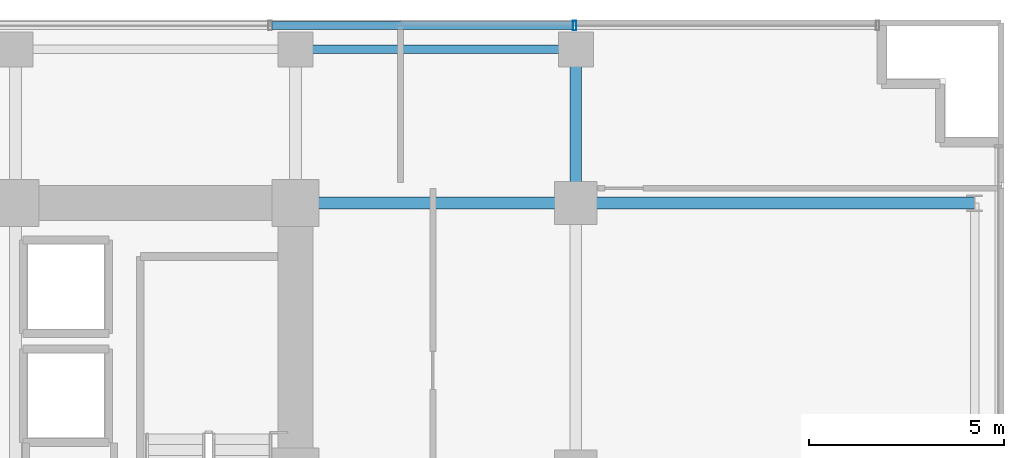
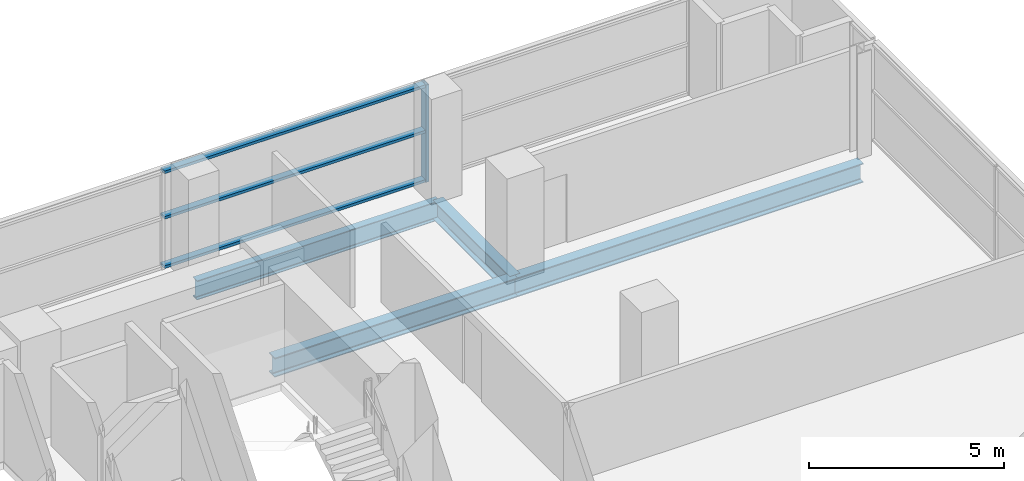
# One storey, part 21 of 31: 4 beams, 4 members, 1 element without a shape of its own.
"""IFC4 building model written with IfcOpenShell, lengths in metres."""

import ifcopenshell
import ifcopenshell.guid

model = None  # the IFC model being written
_history = None  # IfcOwnerHistory: only IFC2X3 demands one
_inside = {}  # id of a spatial element -> (the spatial element, [elements in it])
_under = {}  # id of a project, library or spatial element -> (it, [spatial elements below it])
_declared = {}  # id of a project -> (the project, [libraries it declares])
_typed = {}  # id of a type object -> (the type object, [elements of that type])
_made_of = {}  # id of a material, layer set ... -> (it, [elements and type objects made of it])


def new_model(schema):
    """Start an empty IFC model of exactly this schema.

    Asked for "IFC4X3", IfcOpenShell would pick the latest addendum, in which some entities
    have other attributes; the version numbers below select the first issue.
    IFC2X3 requires an IfcOwnerHistory on every rooted entity: one is made here for all.
    """
    global model, _history
    if schema == "IFC4X3":
        model = ifcopenshell.file(schema_version=(4, 3, 0, 0))
    else:
        model = ifcopenshell.file(schema=schema)
    _inside.clear()
    _under.clear()
    _declared.clear()
    _typed.clear()
    _made_of.clear()
    _history = None
    if model.schema == "IFC2X3":
        org = make("IfcOrganization", Name="unknown")
        user = make(
            "IfcPersonAndOrganization",
            ThePerson=make("IfcPerson", FamilyName="unknown"),
            TheOrganization=org,
        )
        app = make(
            "IfcApplication",
            ApplicationDeveloper=org,
            Version="unknown",
            ApplicationFullName="unknown",
            ApplicationIdentifier="unknown",
        )
        _history = make(
            "IfcOwnerHistory",
            OwningUser=user,
            OwningApplication=app,
            ChangeAction="ADDED",
            CreationDate=0,
        )
    return model


def make(cls, **values):
    """One entity of the class cls with the attributes given. An attribute that is None is left unset."""
    return model.create_entity(
        cls, **{name: value for name, value in values.items() if value is not None}
    )


def rooted(cls, **values):
    """An entity with a GlobalId (a new one), such as an element, a storey or a relation."""
    return make(cls, GlobalId=ifcopenshell.guid.new(), OwnerHistory=_history, **values)


def si_unit(unit_type, name, prefix=None):
    """IfcSIUnit, for example si_unit("LENGTHUNIT", "METRE", prefix="MILLI")."""
    return make("IfcSIUnit", UnitType=unit_type, Prefix=prefix, Name=name)


def assignment(units):
    """IfcUnitAssignment: the units of a project."""
    return None if units is None else make("IfcUnitAssignment", Units=units)


def point(xyz):
    """IfcCartesianPoint."""
    return None if xyz is None else make("IfcCartesianPoint", Coordinates=xyz)


def direction(xyz):
    """IfcDirection."""
    return None if xyz is None else make("IfcDirection", DirectionRatios=xyz)


def frame(location, z_axis=None, x_axis=None):
    """IfcAxis2Placement3D, a coordinate frame: its origin and axes. An axis left out is left unset."""
    return make(
        "IfcAxis2Placement3D",
        Location=point(location),
        Axis=direction(z_axis),
        RefDirection=direction(x_axis),
    )


def frame_2d(location, x_axis=None):
    """IfcAxis2Placement2D, a coordinate frame in the plane: its origin and x axis."""
    return make(
        "IfcAxis2Placement2D", Location=point(location), RefDirection=direction(x_axis)
    )


def origin():
    """The frame at (0, 0, 0) with its axes left unset."""
    return frame((0.0, 0.0, 0.0))


def origin_2d():
    """The frame at (0, 0) in the plane with its x axis left unset."""
    return frame_2d((0.0, 0.0))


def place(relative_to, where):
    """IfcLocalPlacement: puts the frame where relative to a parent placement (None: the world)."""
    return make(
        "IfcLocalPlacement", PlacementRelTo=relative_to, RelativePlacement=where
    )


def context(
    kind, dimensions, precision=None, world=None, true_north=None, identifier=None
):
    """IfcGeometricRepresentationContext, for example the 3D "Model" context."""
    return make(
        "IfcGeometricRepresentationContext",
        ContextIdentifier=identifier,
        ContextType=kind,
        CoordinateSpaceDimension=dimensions,
        Precision=precision,
        WorldCoordinateSystem=world,
        TrueNorth=true_north,
    )


def subcontext(parent, identifier, kind, view, scale=None):
    """IfcGeometricRepresentationSubContext, for example "Body" below "Model"."""
    return make(
        "IfcGeometricRepresentationSubContext",
        ContextIdentifier=identifier,
        ContextType=kind,
        ParentContext=parent,
        TargetScale=scale,
        TargetView=view,
    )


def project(units=None, contexts=None):
    """IfcProject with its units and contexts."""
    return rooted(
        "IfcProject",
        Name="project",
        RepresentationContexts=contexts,
        UnitsInContext=assignment(units),
    )


def spatial(cls, under=None, at=None, **own):
    """A site, building, storey or space (cls), placed at a placement, below another one or the project."""
    s = rooted(cls, ObjectPlacement=at, **own)
    if under is not None:
        _under.setdefault(under.id(), (under, []))[1].append(s)
    return s


def profile(cls, at=None, kind="AREA", **sizes):
    """A parametric profile (cls). Its sizes go by their IFC names, for example OverallWidth=200.0."""
    return make(cls, ProfileType=kind, Position=at, **sizes)


def hollow_rectangle(**sizes):
    """IfcRectangleHollowProfileDef."""
    return profile("IfcRectangleHollowProfileDef", **sizes)


def i_section(**sizes):
    """IfcIShapeProfileDef."""
    return profile("IfcIShapeProfileDef", **sizes)


def extrude(swept, where, along, depth):
    """IfcExtrudedAreaSolid: the profile swept, set in the frame where, extruded along a direction by depth."""
    return make(
        "IfcExtrudedAreaSolid",
        SweptArea=swept,
        Position=where,
        ExtrudedDirection=direction(along),
        Depth=depth,
    )


def shape(context_of_items, identifier, shape_type, items):
    """IfcShapeRepresentation: the items that make up one representation, for example the "Body"."""
    return make(
        "IfcShapeRepresentation",
        ContextOfItems=context_of_items,
        RepresentationIdentifier=identifier,
        RepresentationType=shape_type,
        Items=items,
    )


def source(mapping_origin, context_of_items, identifier, shape_type, items):
    """IfcRepresentationMap: a shape defined once, which mapped items show again and again."""
    return make(
        "IfcRepresentationMap",
        MappingOrigin=mapping_origin,
        MappedRepresentation=shape(context_of_items, identifier, shape_type, items),
    )


def transform(
    local_origin,
    x_axis=None,
    y_axis=None,
    z_axis=None,
    scale=None,
    scale2=None,
    scale3=None,
    uniform=True,
):
    """IfcCartesianTransformationOperator3D, or its non-uniform kind. x_axis, y_axis, z_axis: its Axis1, 2, 3."""
    if uniform:
        return make(
            "IfcCartesianTransformationOperator3D",
            Axis1=direction(x_axis),
            Axis2=direction(y_axis),
            LocalOrigin=point(local_origin),
            Scale=scale,
            Axis3=direction(z_axis),
        )
    return make(
        "IfcCartesianTransformationOperator3DnonUniform",
        Axis1=direction(x_axis),
        Axis2=direction(y_axis),
        LocalOrigin=point(local_origin),
        Scale=scale,
        Axis3=direction(z_axis),
        Scale2=scale2,
        Scale3=scale3,
    )


def mapped(mapping_source, mapping_target):
    """IfcMappedItem: shows the shape of a source again, moved by a transform."""
    return make(
        "IfcMappedItem", MappingSource=mapping_source, MappingTarget=mapping_target
    )


def material(Name=None, Category=None):
    """IfcMaterial."""
    return make("IfcMaterial", Name=Name, Category=Category)


def layer(
    of_material, thickness, ventilated=None, Name=None, Category=None, Priority=None
):
    """IfcMaterialLayer: one layer of a wall or slab, of a material (None: an air gap)."""
    return make(
        "IfcMaterialLayer",
        Material=of_material,
        LayerThickness=thickness,
        IsVentilated=ventilated,
        Name=Name,
        Category=Category,
        Priority=Priority,
    )


def layer_set(layers, Name=None):
    """IfcMaterialLayerSet."""
    return make("IfcMaterialLayerSet", MaterialLayers=layers, LayerSetName=Name)


def material_profile(
    of_material, cross_section, Name=None, Category=None, Priority=None
):
    """IfcMaterialProfile: a cross section and its material."""
    return make(
        "IfcMaterialProfile",
        Name=Name,
        Material=of_material,
        Profile=cross_section,
        Priority=Priority,
        Category=Category,
    )


def profile_set(profiles, Name=None, composite=None):
    """IfcMaterialProfileSet."""
    return make(
        "IfcMaterialProfileSet",
        Name=Name,
        MaterialProfiles=profiles,
        CompositeProfile=composite,
    )


def made_of(thing, what):
    """Note that an element or type object is made of a material, layer set ...; save() writes the relation."""
    if what is not None:
        _made_of.setdefault(what.id(), (what, []))[1].append(thing)
    return thing


def type_object(cls, material=None, **own):
    """A type object (cls), such as IfcWallType, which elements share."""
    return made_of(rooted(cls, **own), material)


def element(
    cls,
    number,
    at=None,
    inside=None,
    cuts=None,
    type_object=None,
    material=None,
    context=None,
    identifier="Body",
    shape_type=None,
    held_by="IfcProductDefinitionShape",
    body=None,
    shapes=None,
    **own,
):
    """One element of the class cls, such as IfcWall. Its Tag is "e" and its number.

    at: its placement. inside: the storey or other place that contains it. cuts: it is an
    opening in that element (IfcRelVoidsElement). A single representation is given by context,
    identifier, shape_type and body (its items); several are given by shapes. held_by: the class
    of the entity that holds the representations. save() writes the other relations.
    """
    e = rooted(cls, Tag="e%d" % number, ObjectPlacement=at, **own)
    if body is not None:
        shapes = [shape(context, identifier, shape_type, body)]
    if shapes is not None:
        e.Representation = make(held_by, Representations=shapes)
    if inside is not None:
        _inside.setdefault(inside.id(), (inside, []))[1].append(e)
    if cuts is not None:
        rooted(
            "IfcRelVoidsElement", RelatingBuildingElement=cuts, RelatedOpeningElement=e
        )
    if type_object is not None:
        _typed.setdefault(type_object.id(), (type_object, []))[1].append(e)
    return made_of(e, material)


def aggregate(whole, parts):
    """IfcRelAggregates: a whole, such as a stair, and the parts it consists of."""
    return rooted("IfcRelAggregates", RelatingObject=whole, RelatedObjects=parts)


def save(model, path):
    """Write the relations noted so far, then the file.

    IfcRelAggregates (storeys below a building ...), IfcRelContainedInSpatialStructure (elements
    in a storey), IfcRelDefinesByType, IfcRelAssociatesMaterial and IfcRelDeclares: one each for
    every whole, place, type object, material and project.
    """
    for whole, parts in _under.values():
        aggregate(whole, parts)
    for where, things in _inside.values():
        rooted(
            "IfcRelContainedInSpatialStructure",
            RelatedElements=things,
            RelatingStructure=where,
        )
    for kind, things in _typed.values():
        rooted("IfcRelDefinesByType", RelatedObjects=things, RelatingType=kind)
    for what, things in _made_of.values():
        rooted("IfcRelAssociatesMaterial", RelatedObjects=things, RelatingMaterial=what)
    for by, libraries in _declared.values():
        rooted("IfcRelDeclares", RelatingContext=by, RelatedDefinitions=libraries)
    model.write(path)


model = new_model("IFC4")

# Units and contexts
model_context = context("Model", 3, precision=1e-05, world=origin(), true_north=direction((0.0, 1.0)))
body_context = subcontext(model_context, "Body", "Model", "MODEL_VIEW")
ifc_project = project(units=[si_unit("LENGTHUNIT", "METRE"), si_unit("AREAUNIT", "SQUARE_METRE"), si_unit("VOLUMEUNIT", "CUBIC_METRE"), si_unit("PLANEANGLEUNIT", "RADIAN"), si_unit("MASSUNIT", "GRAM", prefix="KILO")], contexts=[model_context])

# Site, building, storey
site_placement = place(None, origin())
site = spatial("IfcSite", under=ifc_project, at=site_placement, CompositionType="ELEMENT")
building_placement = place(site_placement, origin())
building = spatial("IfcBuilding", under=site, at=building_placement, Name="Zarnakvel Exchange Tower", CompositionType="ELEMENT")
storey_placement = place(building_placement, frame((0.0, 0.0, 67.0)))
storey = spatial("IfcBuildingStorey", under=building, at=storey_placement, Name="L18", CompositionType="ELEMENT", Elevation=67.0)

# Beams
ifc_material_1 = material(Name="Steel S355", Category="steel")
ifc_material_profile_1 = material_profile(ifc_material_1, i_section(OverallWidth=0.300048828125, OverallDepth=0.60009765625, WebThickness=0.015380859375, FlangeThickness=0.030029296875, FilletRadius=0.027099609375, at=origin_2d()))
ifc_profile_set_1 = profile_set([ifc_material_profile_1], Name="Steel S355")
beam_type_1 = type_object("IfcBeamType", Name="G-04", PredefinedType="BEAM", material=ifc_profile_set_1)
beam_1_placement = place(storey_placement, frame((14.39990234375, 13.5, -0.52490234375), z_axis=(1.0, 0.0, 0.0), x_axis=(0.0, 1.0, 0.0)))
element("IfcBeam", 1, at=beam_1_placement, inside=storey, type_object=beam_type_1, Name="L18 Tower E-W Frame Beam", PredefinedType="BEAM", context=body_context, shape_type="SweptSolid", body=[
    extrude(i_section(OverallWidth=0.300048828125, OverallDepth=0.60009765625, WebThickness=0.015380859375, FlangeThickness=0.030029296875, FilletRadius=0.027099609375, at=origin_2d()), origin(), (0.0, 0.0, 1.0), 7.2001953125),
])
beam_2_placement = place(storey_placement, frame((21.60009765625, 13.5, -0.52490234375), z_axis=(1.0, 0.0, 0.0), x_axis=(0.0, 1.0, 0.0)))
element("IfcBeam", 2, at=beam_2_placement, inside=storey, type_object=beam_type_1, Name="L18 Tower E-W Frame Beam", PredefinedType="BEAM", context=body_context, shape_type="SweptSolid", body=[
    extrude(i_section(OverallWidth=0.300048828125, OverallDepth=0.60009765625, WebThickness=0.015380859375, FlangeThickness=0.030029296875, FilletRadius=0.027099609375, at=origin_2d()), origin(), (0.0, 0.0, 1.0), 10.25),
])
beam_3_placement = place(storey_placement, frame((21.60009765625, 13.5, -0.52490234375), z_axis=(0.0, 1.0, 0.0), x_axis=(-1.0, 0.0, 0.0)))
element("IfcBeam", 3, at=beam_3_placement, inside=storey, type_object=beam_type_1, Name="L18 Tower N-S Frame Beam", PredefinedType="BEAM", context=body_context, shape_type="SweptSolid", body=[
    extrude(i_section(OverallWidth=0.300048828125, OverallDepth=0.60009765625, WebThickness=0.015380859375, FlangeThickness=0.030029296875, FilletRadius=0.027099609375, at=origin_2d()), origin(), (0.0, 0.0, 1.0), 3.949951171875),
])
ifc_material_profile_2 = material_profile(ifc_material_1, i_section(OverallWidth=0.219970703125, OverallDepth=0.60009765625, WebThickness=0.011962890625, FlangeThickness=0.01904296875, FilletRadius=0.02392578125, at=origin_2d()))
ifc_profile_set_2 = profile_set([ifc_material_profile_2], Name="Steel S355")
beam_type_2 = type_object("IfcBeamType", Name="SP-01", PredefinedType="SPANDREL", material=ifc_profile_set_2)
beam_4_placement = place(storey_placement, frame((14.39990234375, 17.449951171875, -0.52490234375), z_axis=(1.0, 0.0, 0.0), x_axis=(0.0, 1.0, 0.0)))
element("IfcBeam", 4, at=beam_4_placement, inside=storey, type_object=beam_type_2, Name="L18 Tower E-W Frame Beam", PredefinedType="SPANDREL", context=body_context, shape_type="SweptSolid", body=[
    extrude(i_section(OverallWidth=0.219970703125, OverallDepth=0.60009765625, WebThickness=0.011962890625, FlangeThickness=0.01904296875, FilletRadius=0.02392578125, at=origin_2d()), origin(), (0.0, 0.0, 1.0), 7.2001953125),
])

# Curtain wall, members
ifc_material_2 = material(Name="Architectural Bronze Anodised Aluminium", Category="aluminium")
ifc_layer = layer(ifc_material_2, 0.239990234375)
ifc_layer_set = layer_set([ifc_layer], Name="Architectural Bronze Anodised Aluminium")
curtain_wall_type = type_object("IfcCurtainWallType", Name="CW-02", PredefinedType="NOTDEFINED", material=ifc_layer_set)
curtain_wall_placement = place(storey_placement, origin())
curtain_wall = element("IfcCurtainWall", 5, at=curtain_wall_placement, inside=storey, type_object=curtain_wall_type, Name="L18 Curtain Wall CW-L18-N1 (CW-02)", PredefinedType="NOTDEFINED")
ifc_material_profile_3 = material_profile(ifc_material_2, hollow_rectangle(XDim=0.199951171875, YDim=0.0849609375, WallThickness=0.0048828125, at=origin_2d()))
ifc_profile_set_3 = profile_set([ifc_material_profile_3], Name="Architectural Bronze Anodised Aluminium")
member_type_1 = type_object("IfcMemberType", Name="CWT-02", PredefinedType="USERDEFINED", material=ifc_profile_set_3)
shared_shape_1 = source(origin(), body_context, "Body", "SweptSolid", [
    extrude(hollow_rectangle(XDim=0.199951171875, YDim=0.0849609375, WallThickness=0.0048828125, at=origin_2d()), origin(), (0.0, 0.0, 1.0), 7.738525390625),
])
member_1_placement = place(storey_placement, frame((13.787841796875, 18.06005859375, 0.04248046875), z_axis=(1.0, 0.0, 0.0), x_axis=(0.0, 1.0, 0.0)))
member_1 = element("IfcMember", 6, at=member_1_placement, type_object=member_type_1, Name="CW-02 transom 6.1", ObjectType="TRANSOM", PredefinedType="USERDEFINED", context=body_context, shape_type="MappedRepresentation", body=[
    mapped(shared_shape_1, transform((0.0, 0.0, 0.0), x_axis=(1.0, 0.0, 0.0), y_axis=(0.0, 1.0, 0.0), z_axis=(0.0, 0.0, 1.0), scale=1.0)),
])
member_2_placement = place(storey_placement, frame((13.787841796875, 18.06005859375, 1.588623046875), z_axis=(1.0, 0.0, 0.0), x_axis=(0.0, 1.0, 0.0)))
member_2 = element("IfcMember", 7, at=member_2_placement, type_object=member_type_1, Name="CW-02 transom 6.2", ObjectType="TRANSOM", PredefinedType="USERDEFINED", context=body_context, shape_type="MappedRepresentation", body=[
    mapped(shared_shape_1, transform((0.0, 0.0, 0.0), x_axis=(1.0, 0.0, 0.0), y_axis=(0.0, 1.0, 0.0), z_axis=(0.0, 0.0, 1.0), scale=1.0)),
])
member_3_placement = place(storey_placement, frame((13.787841796875, 18.06005859375, 3.012451171875), z_axis=(1.0, 0.0, 0.0), x_axis=(0.0, 1.0, 0.0)))
member_3 = element("IfcMember", 8, at=member_3_placement, type_object=member_type_1, Name="CW-02 transom 6.3", ObjectType="TRANSOM", PredefinedType="USERDEFINED", context=body_context, shape_type="MappedRepresentation", body=[
    mapped(shared_shape_1, transform((0.0, 0.0, 0.0), x_axis=(1.0, 0.0, 0.0), y_axis=(0.0, 1.0, 0.0), z_axis=(0.0, 0.0, 1.0), scale=1.0)),
])
ifc_material_profile_4 = material_profile(ifc_material_2, hollow_rectangle(XDim=0.239990234375, YDim=0.090087890625, WallThickness=0.006103515625, at=origin_2d()))
ifc_profile_set_4 = profile_set([ifc_material_profile_4], Name="Architectural Bronze Anodised Aluminium")
member_type_2 = type_object("IfcMemberType", Name="CWM-02", PredefinedType="MULLION", material=ifc_profile_set_4)
shared_shape_2 = source(origin(), body_context, "Body", "SweptSolid", [
    extrude(hollow_rectangle(XDim=0.239990234375, YDim=0.090087890625, WallThickness=0.006103515625, at=origin_2d()), origin(), (0.0, 0.0, 1.0), 3.054931640625),
])
member_4_placement = place(storey_placement, frame((21.571533203125, 18.06005859375, 0.0), z_axis=(0.0, 0.0, 1.0), x_axis=(0.0, 1.0, 0.0)))
member_4 = element("IfcMember", 9, at=member_4_placement, type_object=member_type_2, Name="CW-02 mullion 7", PredefinedType="MULLION", context=body_context, shape_type="MappedRepresentation", body=[
    mapped(shared_shape_2, transform((0.0, 0.0, 0.0), x_axis=(1.0, 0.0, 0.0), y_axis=(0.0, 1.0, 0.0), z_axis=(0.0, 0.0, 1.0), scale=1.0)),
])
aggregate(curtain_wall, [member_4, member_1, member_2, member_3])

save(model, "model.ifc")
